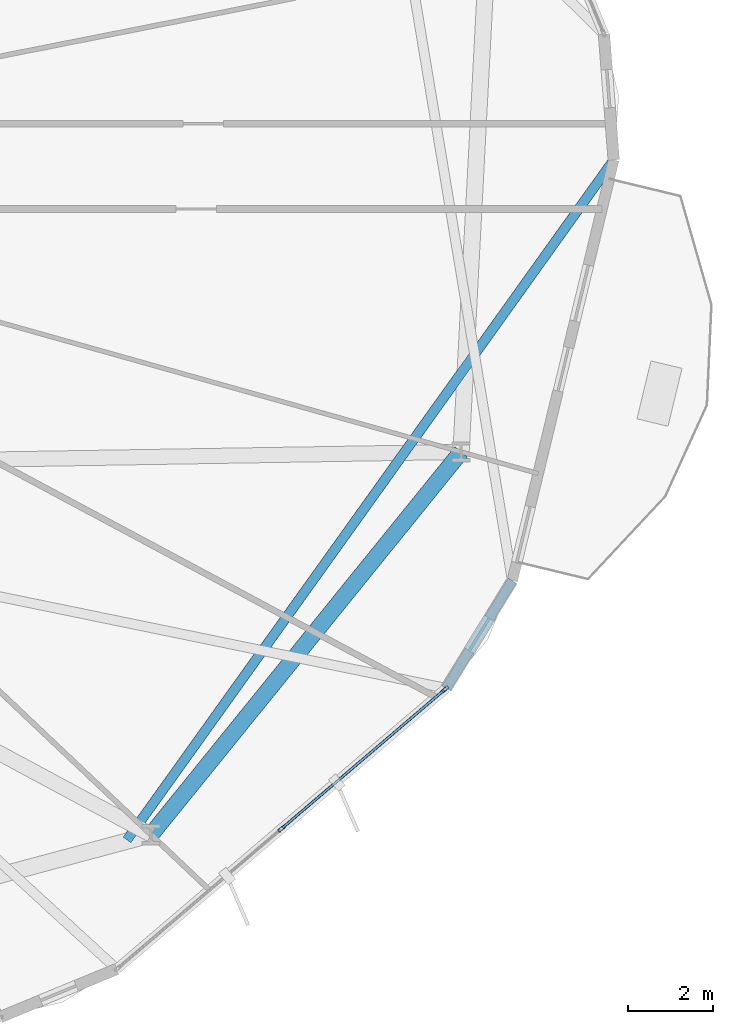
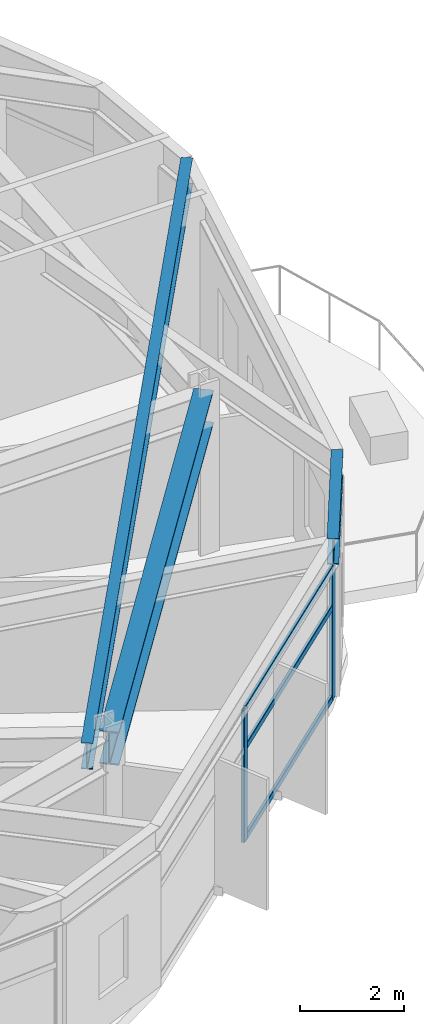
# One storey, part 9 of 22: 5 members, 3 beams, 1 element without a shape of its own.
"""IFC4 building model written with IfcOpenShell, lengths in metres."""

from ifc_helpers import new_model, si_unit, direction, frame, origin, origin_2d, place, context, subcontext, project, spatial, hollow_rectangle, i_section, extrude, material, layer, layer_set, material_profile, profile_set, type_object, element, aggregate, save


model = new_model("IFC4")

# Units and contexts
model_context = context("Model", 3, precision=1e-05, world=origin(), true_north=direction((0.0, 1.0)))
body_context = subcontext(model_context, "Body", "Model", "MODEL_VIEW")
ifc_project = project(units=[si_unit("LENGTHUNIT", "METRE"), si_unit("AREAUNIT", "SQUARE_METRE"), si_unit("VOLUMEUNIT", "CUBIC_METRE"), si_unit("PLANEANGLEUNIT", "RADIAN"), si_unit("MASSUNIT", "GRAM", prefix="KILO")], contexts=[model_context])

# Site, building, storey
site_placement = place(None, origin())
site = spatial("IfcSite", under=ifc_project, at=site_placement, CompositionType="ELEMENT")
building_placement = place(site_placement, origin())
building = spatial("IfcBuilding", under=site, at=building_placement, Name="Soratama Intermodal Tower", CompositionType="ELEMENT")
storey_placement = place(building_placement, frame((0.0, 0.0, 50.60009765625)))
storey = spatial("IfcBuildingStorey", under=building, at=storey_placement, Name="L11", CompositionType="ELEMENT", Elevation=50.60009765625)

# Beams
ifc_material_1 = material(Name="Structural steel ASTM A992 Grade 50", Category="steel")
ifc_material_profile_1 = material_profile(ifc_material_1, i_section(OverallWidth=0.382080078125, OverallDepth=0.779052734375, WebThickness=0.01806640625, FlangeThickness=0.030029296875, FilletRadius=0.01806640625, at=origin_2d()), Name="W30X191")
ifc_profile_set_1 = profile_set([ifc_material_profile_1], Name="Structural steel ASTM A992 Grade 50")
beam_type_1 = type_object("IfcBeamType", Name="BM-RING-W30X191", PredefinedType="BEAM", material=ifc_profile_set_1)
beam_1_placement = place(storey_placement, frame((55.196044921875, 9.300048828125, 3.310302734375), z_axis=(0.629334198857, 0.777134779912, 0.0), x_axis=(-0.777134779912, 0.629334198857, 0.0)))
element("IfcBeam", 1, at=beam_1_placement, inside=storey, type_object=beam_type_1, Name="BM-L11-RING-09", PredefinedType="BEAM", context=body_context, shape_type="SweptSolid", body=[
    extrude(i_section(OverallWidth=0.382080078125, OverallDepth=0.779052734375, WebThickness=0.01806640625, FlangeThickness=0.030029296875, FilletRadius=0.01806640625, at=origin_2d()), origin(), (0.0, 0.0, 1.0), 11.5693359375),
])
ifc_material_2 = material(Name="Structural steel ASTM A992 Grade 50", Category="steel")
ifc_material_profile_2 = material_profile(ifc_material_2, i_section(OverallWidth=0.22900390625, OverallDepth=0.612060546875, WebThickness=0.011962890625, FlangeThickness=0.01953125, FilletRadius=0.012939453125, at=origin_2d()), Name="W24X84")
ifc_profile_set_2 = profile_set([ifc_material_profile_2], Name="Structural steel ASTM A992 Grade 50")
beam_type_2 = type_object("IfcBeamType", Name="BM-SPN-W24X84", PredefinedType="SPANDREL", material=ifc_profile_set_2)
beam_2_placement = place(storey_placement, frame((62.12890625, 12.738037109375, 3.393798828125), z_axis=(0.523183342821, 0.852220153361, 0.0), x_axis=(-0.852220153361, 0.523183342821, 0.0)))
element("IfcBeam", 2, at=beam_2_placement, inside=storey, type_object=beam_type_2, Name="BS-L11-CRN09", PredefinedType="SPANDREL", context=body_context, shape_type="SweptSolid", body=[
    extrude(i_section(OverallWidth=0.22900390625, OverallDepth=0.612060546875, WebThickness=0.011962890625, FlangeThickness=0.01953125, FilletRadius=0.012939453125, at=origin_2d()), origin(), (0.0, 0.0, 1.0), 2.966552734375),
])
ifc_material_3 = material(Name="Structural steel ASTM A992 Grade 50", Category="steel")
ifc_material_profile_3 = material_profile(ifc_material_3, i_section(OverallWidth=0.22900390625, OverallDepth=0.612060546875, WebThickness=0.011962890625, FlangeThickness=0.01953125, FilletRadius=0.012939453125, at=origin_2d()), Name="W24X84")
ifc_profile_set_3 = profile_set([ifc_material_profile_3], Name="Structural steel ASTM A992 Grade 50")
beam_type_3 = type_object("IfcBeamType", Name="BM-TIE-W24X84", PredefinedType="BEAM", material=ifc_profile_set_3)
beam_3_placement = place(storey_placement, frame((54.6298828125, 9.175048828125, 3.393798828125), z_axis=(0.582076136928, 0.813134288306, 0.0), x_axis=(-0.813134288306, 0.582076136928, 0.0)))
element("IfcBeam", 3, at=beam_3_placement, inside=storey, type_object=beam_type_3, Name="BM-L11-TIE1-10", PredefinedType="BEAM", context=body_context, shape_type="SweptSolid", body=[
    extrude(i_section(OverallWidth=0.22900390625, OverallDepth=0.612060546875, WebThickness=0.011962890625, FlangeThickness=0.01953125, FilletRadius=0.012939453125, at=origin_2d()), origin(), (0.0, 0.0, 1.0), 19.6435546875),
])

# Curtain wall, members
ifc_material_4 = material(Name="Double-glazed aluminium curtain wall", Category="aluminium")
ifc_layer = layer(ifc_material_4, 0.159912109375)
ifc_layer_set = layer_set([ifc_layer], Name="Double-glazed aluminium curtain wall")
curtain_wall_type = type_object("IfcCurtainWallType", Name="CW-SYS-2", PredefinedType="NOTDEFINED", material=ifc_layer_set)
curtain_wall_placement = place(storey_placement, origin())
curtain_wall = element("IfcCurtainWall", 4, at=curtain_wall_placement, inside=storey, type_object=curtain_wall_type, Name="L11 Faceted Curtain Wall F09", PredefinedType="NOTDEFINED")
ifc_material_5 = material(Name="Anodised aluminium AA 6063-T6", Category="aluminium")
ifc_material_profile_4 = material_profile(ifc_material_5, hollow_rectangle(XDim=0.074951171875, YDim=0.179931640625, WallThickness=0.006103515625, InnerFilletRadius=0.006103515625, OuterFilletRadius=0.011962890625, at=origin_2d()), Name="CWM180X75X6")
ifc_profile_set_4 = profile_set([ifc_material_profile_4], Name="Anodised aluminium AA 6063-T6")
member_type_1 = type_object("IfcMemberType", Name="MT-CWM-2", PredefinedType="MULLION", material=ifc_profile_set_4)
member_1_placement = place(storey_placement, frame((58.26025390625, 9.44140625, 0.0), z_axis=(0.0, 0.0, 1.0), x_axis=(-0.648652448642, 0.761084752752, 0.0)))
member_1 = element("IfcMember", 5, at=member_1_placement, type_object=member_type_1, Name="CW-2 mullion 2", PredefinedType="MULLION", context=body_context, shape_type="SweptSolid", body=[
    extrude(hollow_rectangle(XDim=0.074951171875, YDim=0.179931640625, WallThickness=0.006103515625, InnerFilletRadius=0.006103515625, OuterFilletRadius=0.011962890625, at=origin_2d()), origin(), (0.0, 0.0, 1.0), 3.078857421875),
])
member_2_placement = place(storey_placement, frame((62.105712890625, 12.71875, 0.0), z_axis=(0.0, 0.0, 1.0), x_axis=(-0.648652448642, 0.761084752752, 0.0)))
member_2 = element("IfcMember", 6, at=member_2_placement, type_object=member_type_1, Name="CW-2 mullion 3", PredefinedType="MULLION", context=body_context, shape_type="SweptSolid", body=[
    extrude(hollow_rectangle(XDim=0.074951171875, YDim=0.179931640625, WallThickness=0.006103515625, InnerFilletRadius=0.006103515625, OuterFilletRadius=0.011962890625, at=origin_2d()), origin(), (0.0, 0.0, 1.0), 3.078857421875),
])
ifc_material_6 = material(Name="Anodised aluminium AA 6063-T6", Category="aluminium")
ifc_material_profile_5 = material_profile(ifc_material_6, hollow_rectangle(XDim=0.06494140625, YDim=0.14990234375, WallThickness=0.0048828125, InnerFilletRadius=0.0048828125, OuterFilletRadius=0.010009765625, at=origin_2d()), Name="CWT150X65X5")
ifc_profile_set_5 = profile_set([ifc_material_profile_5], Name="Anodised aluminium AA 6063-T6")
member_type_2 = type_object("IfcMemberType", Name="TT-CWT-1", PredefinedType="USERDEFINED", material=ifc_profile_set_5)
member_3_placement = place(storey_placement, frame((58.282958984375, 9.460693359375, 0.02978515625), z_axis=(0.761079597276, 0.648658497678, 0.0), x_axis=(-0.648658497678, 0.761079597276, 0.0)))
member_3 = element("IfcMember", 7, at=member_3_placement, type_object=member_type_2, Name="CW-2 transom 2.1", ObjectType="TRANSOM", PredefinedType="USERDEFINED", context=body_context, shape_type="SweptSolid", body=[
    extrude(hollow_rectangle(XDim=0.06494140625, YDim=0.14990234375, WallThickness=0.0048828125, InnerFilletRadius=0.0048828125, OuterFilletRadius=0.010009765625, at=origin_2d()), origin(), (0.0, 0.0, 1.0), 4.99267578125),
])
member_4_placement = place(storey_placement, frame((58.282958984375, 9.460693359375, 2.14990234375), z_axis=(0.761079597276, 0.648658497678, 0.0), x_axis=(-0.648658497678, 0.761079597276, 0.0)))
member_4 = element("IfcMember", 8, at=member_4_placement, type_object=member_type_2, Name="CW-2 transom 2.2", ObjectType="TRANSOM", PredefinedType="USERDEFINED", context=body_context, shape_type="SweptSolid", body=[
    extrude(hollow_rectangle(XDim=0.06494140625, YDim=0.14990234375, WallThickness=0.0048828125, InnerFilletRadius=0.0048828125, OuterFilletRadius=0.010009765625, at=origin_2d()), origin(), (0.0, 0.0, 1.0), 4.99267578125),
])
member_5_placement = place(storey_placement, frame((58.282958984375, 9.460693359375, 3.048828125), z_axis=(0.761079597276, 0.648658497678, 0.0), x_axis=(-0.648658497678, 0.761079597276, 0.0)))
member_5 = element("IfcMember", 9, at=member_5_placement, type_object=member_type_2, Name="CW-2 transom 2.3", ObjectType="TRANSOM", PredefinedType="USERDEFINED", context=body_context, shape_type="SweptSolid", body=[
    extrude(hollow_rectangle(XDim=0.06494140625, YDim=0.14990234375, WallThickness=0.0048828125, InnerFilletRadius=0.0048828125, OuterFilletRadius=0.010009765625, at=origin_2d()), origin(), (0.0, 0.0, 1.0), 4.99267578125),
])
aggregate(curtain_wall, [member_1, member_2, member_3, member_4, member_5])

save(model, "model.ifc")
